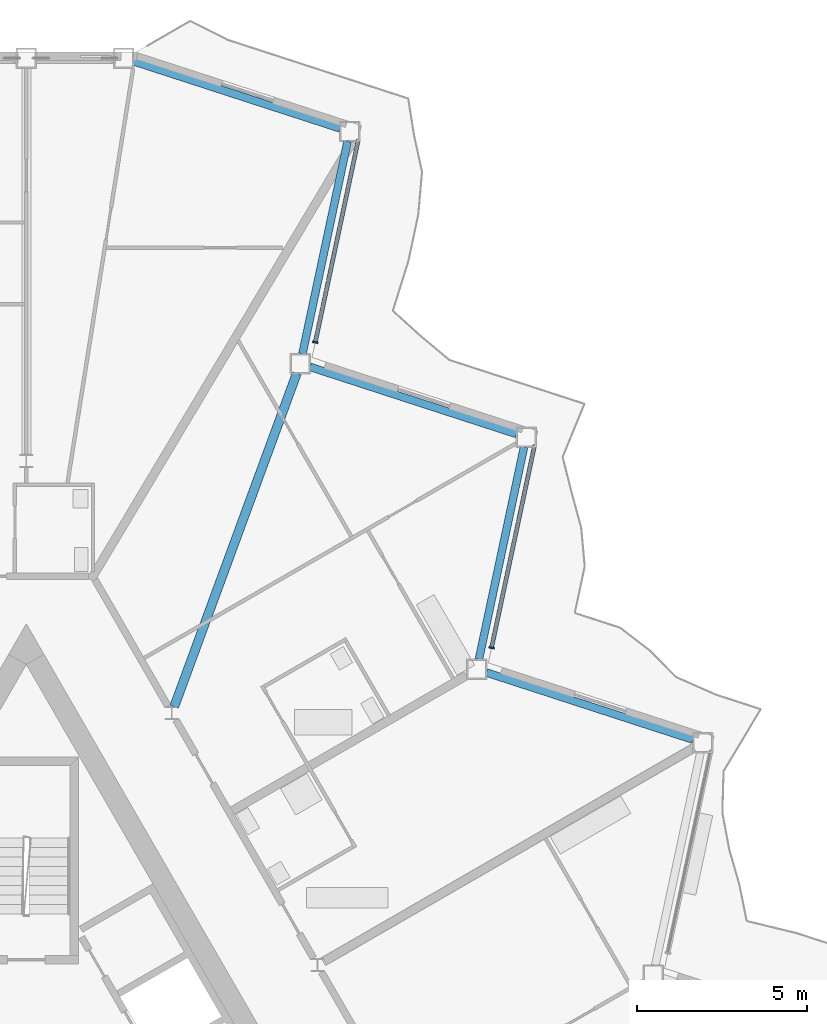
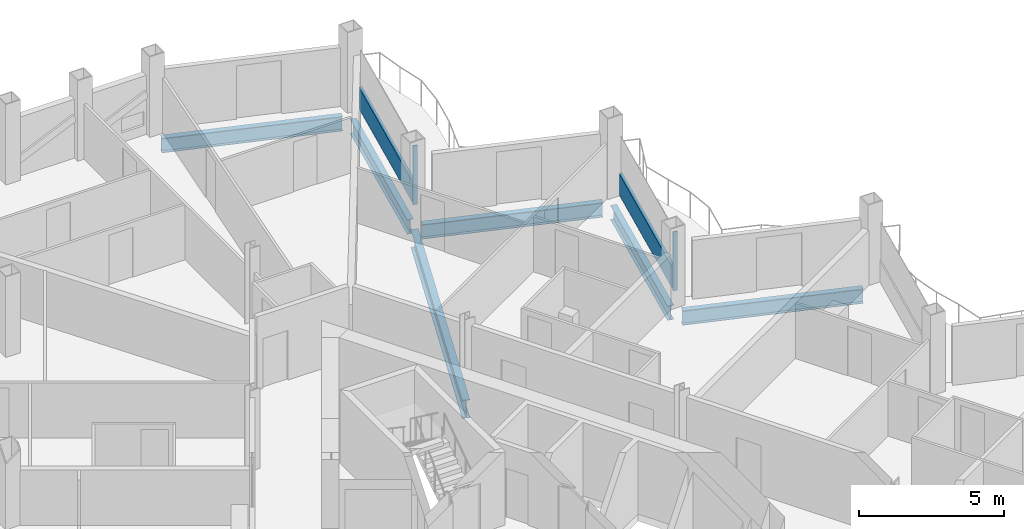
# One storey, part 11 of 26: 6 beams, 4 members, 2 elements without a shape of their own.
"""IFC4 building model written with IfcOpenShell, lengths in metres."""

from ifc_helpers import new_model, si_unit, direction, frame, origin, origin_2d, place, context, subcontext, project, spatial, rectangle, i_section, extrude, material, layer, layer_set, material_profile, profile_set, type_object, element, aggregate, save


model = new_model("IFC4")

# Units and contexts
model_context = context("Model", 3, precision=1e-05, world=origin(), true_north=direction((0.0, 1.0)))
body_context = subcontext(model_context, "Body", "Model", "MODEL_VIEW")
ifc_project = project(units=[si_unit("LENGTHUNIT", "METRE"), si_unit("AREAUNIT", "SQUARE_METRE"), si_unit("VOLUMEUNIT", "CUBIC_METRE"), si_unit("PLANEANGLEUNIT", "RADIAN"), si_unit("MASSUNIT", "GRAM", prefix="KILO")], contexts=[model_context])

# Site, building, storey
site_placement = place(None, origin())
site = spatial("IfcSite", under=ifc_project, at=site_placement, CompositionType="ELEMENT")
building_placement = place(site_placement, origin())
building = spatial("IfcBuilding", under=site, at=building_placement, Name="Cormorant Prow Tower", CompositionType="ELEMENT")
storey_placement = place(building_placement, frame((0.0, 0.0, 322.199951171875)))
storey = spatial("IfcBuildingStorey", under=building, at=storey_placement, Name="L71", CompositionType="ELEMENT", Elevation=322.199951171875)

# Beam
ifc_material_1 = material(Name="Structural steel ASTM A992 Gr 50", Category="steel")
ifc_material_profile_1 = material_profile(ifc_material_1, i_section(OverallWidth=0.267822265625, OverallDepth=0.77001953125, WebThickness=0.015625, FlangeThickness=0.025390625, at=origin_2d()), Name="W30x132")
ifc_profile_set_1 = profile_set([ifc_material_profile_1], Name="Structural steel ASTM A992 Gr 50")
beam_type_1 = type_object("IfcBeamType", Name="Radial floor beam W30x132", PredefinedType="BEAM", material=ifc_profile_set_1)
beam_1_placement = place(storey_placement, frame((4.357421875, 12.5673828125, -0.684814453125), z_axis=(0.345131226703, 0.938554439739, 0.0), x_axis=(-0.938554439739, 0.345131226703, 0.0)))
element("IfcBeam", 1, at=beam_1_placement, inside=storey, type_object=beam_type_1, Name="Radial floor beam FB3 12 L71", PredefinedType="BEAM", context=body_context, shape_type="SweptSolid", body=[
    extrude(i_section(OverallWidth=0.267822265625, OverallDepth=0.77001953125, WebThickness=0.015625, FlangeThickness=0.025390625, at=origin_2d()), origin(), (0.0, 0.0, 1.0), 10.465087890625),
])

# Curtain wall, member
ifc_material_2 = material(Name="Aluminium 6063-T6", Category="aluminium")
ifc_layer = layer(ifc_material_2, 0.159912109375)
ifc_layer_set = layer_set([ifc_layer], Name="Aluminium 6063-T6")
curtain_wall_type = type_object("IfcCurtainWallType", Name="Residential unitised curtain wall 160", PredefinedType="NOTDEFINED", material=ifc_layer_set)
curtain_wall_1_placement = place(storey_placement, origin())
curtain_wall_1 = element("IfcCurtainWall", 2, at=curtain_wall_1_placement, inside=storey, type_object=curtain_wall_type, Name="Residential curtain wall ENE06", PredefinedType="NOTDEFINED")
ifc_material_3 = material(Name="Aluminium 6063-T6", Category="aluminium")
ifc_material_profile_2 = material_profile(ifc_material_3, rectangle(XDim=0.159912109375, YDim=0.050048828125, at=origin_2d()), Name="Residential mullion 50x160")
ifc_profile_set_2 = profile_set([ifc_material_profile_2], Name="Aluminium 6063-T6")
member_type_1 = type_object("IfcMemberType", Name="Residential mullion 50x160", PredefinedType="MULLION", material=ifc_profile_set_2)
member_1_placement = place(storey_placement, frame((13.70849609375, 14.306884765625, 0.0), z_axis=(0.0, 0.0, 1.0), x_axis=(-0.978147600676, 0.207911691091, 0.0)))
member_1 = element("IfcMember", 3, at=member_1_placement, type_object=member_type_1, Name="Residential mullion ENE06", PredefinedType="MULLION", context=body_context, shape_type="SweptSolid", body=[
    extrude(rectangle(XDim=0.159912109375, YDim=0.050048828125, at=origin_2d()), origin(), (0.0, 0.0, 1.0), 2.488037109375),
])

curtain_wall_2_placement = place(storey_placement, origin())
curtain_wall_2 = element("IfcCurtainWall", 4, at=curtain_wall_2_placement, inside=storey, type_object=curtain_wall_type, Name="Residential curtain wall ENE08", PredefinedType="NOTDEFINED")
member_2_placement = place(storey_placement, frame((8.513671875, 23.30419921875, 0.0), z_axis=(0.0, 0.0, 1.0), x_axis=(-0.978147606859, 0.207911662, 0.0)))
member_2 = element("IfcMember", 5, at=member_2_placement, type_object=member_type_1, Name="Residential mullion ENE08", PredefinedType="MULLION", context=body_context, shape_type="SweptSolid", body=[
    extrude(rectangle(XDim=0.159912109375, YDim=0.050048828125, at=origin_2d()), origin(), (0.0, 0.0, 1.0), 2.488037109375),
])

# Member
ifc_material_4 = material(Name="Terracotta", Category="masonry")
ifc_material_profile_3 = material_profile(ifc_material_4, rectangle(XDim=0.1201171875, YDim=0.89990234375, at=origin_2d()), Name="Residential terracotta spandrel rail 120x900")
ifc_profile_set_3 = profile_set([ifc_material_profile_3], Name="Terracotta")
member_type_2 = type_object("IfcMemberType", Name="Residential terracotta spandrel rail 120x900", PredefinedType="USERDEFINED", material=ifc_profile_set_3)
member_3_placement = place(storey_placement, frame((13.713623046875, 14.331298828125, 0.449951171875), z_axis=(0.207908765956, 0.978148222428, 0.0), x_axis=(-0.978148222428, 0.207908765956, 0.0)))
member_3 = element("IfcMember", 6, at=member_3_placement, type_object=member_type_2, Name="Residential spandrel rail ENE06", ObjectType="TRANSOM", PredefinedType="USERDEFINED", context=body_context, shape_type="SweptSolid", body=[
    extrude(rectangle(XDim=0.1201171875, YDim=0.89990234375, at=origin_2d()), origin(), (0.0, 0.0, 1.0), 6.072021484375),
])

aggregate(curtain_wall_1, [member_1, member_3])

member_4_placement = place(storey_placement, frame((8.51904296875, 23.32861328125, 0.449951171875), z_axis=(0.207900589614, 0.978149960302, 0.0), x_axis=(-0.978149960302, 0.207900589614, 0.0)))
member_4 = element("IfcMember", 7, at=member_4_placement, type_object=member_type_2, Name="Residential spandrel rail ENE08", ObjectType="TRANSOM", PredefinedType="USERDEFINED", context=body_context, shape_type="SweptSolid", body=[
    extrude(rectangle(XDim=0.1201171875, YDim=0.89990234375, at=origin_2d()), origin(), (0.0, 0.0, 1.0), 6.072265625),
])

aggregate(curtain_wall_2, [member_2, member_4])

# Beams
ifc_material_5 = material(Name="Structural steel ASTM A992 Gr 50", Category="steel")
ifc_material_profile_4 = material_profile(ifc_material_5, i_section(OverallWidth=0.22900390625, OverallDepth=0.612060546875, WebThickness=0.011962890625, FlangeThickness=0.01953125, at=origin_2d()), Name="W24x84")
ifc_profile_set_4 = profile_set([ifc_material_profile_4], Name="Structural steel ASTM A992 Gr 50")
beam_type_2 = type_object("IfcBeamType", Name="Spandrel beam W24x84", PredefinedType="SPANDREL", material=ifc_profile_set_4)
for number, where, z_axis, x_axis, name in (
    (8, (19.640380859375, 11.5966796875, -0.60595703125), (-0.95105314132, 0.309027381286, 0.0), (-0.309027381286, -0.95105314132, 0.0), "Spandrel beam SB3 ENE05-ENE06 L71"),
    (9, (13.334228515625, 13.95947265625, -0.60595703125), (0.207920386839, 0.978145752297, 0.0), (-0.978145752297, 0.207920386839, 0.0), "Spandrel beam SB3 ENE06-ENE07 L71"),
    (10, (14.441162109375, 20.601806640625, -0.60595703125), (-0.95105314132, 0.309027381286, 0.0), (-0.309027381286, -0.95105314132, 0.0), "Spandrel beam SB3 ENE07-ENE08 L71"),
):
    element("IfcBeam", number, at=place(storey_placement, frame(where, z_axis=z_axis, x_axis=x_axis)), inside=storey, type_object=beam_type_2, Name=name, PredefinedType="SPANDREL", context=body_context, shape_type="SweptSolid", body=[
        extrude(i_section(OverallWidth=0.22900390625, OverallDepth=0.612060546875, WebThickness=0.011962890625, FlangeThickness=0.01953125, at=origin_2d()), origin(), (0.0, 0.0, 1.0), 6.39599609375),
    ])
beam_2_placement = place(storey_placement, frame((8.13525390625, 22.96435546875, -0.60595703125), z_axis=(0.20791262393, 0.978147402394, 0.0), x_axis=(-0.978147402394, 0.20791262393, 0.0)))
element("IfcBeam", 11, at=beam_2_placement, inside=storey, type_object=beam_type_2, Name="Spandrel beam SB3 ENE08-ENE09 L71", PredefinedType="SPANDREL", context=body_context, shape_type="SweptSolid", body=[
    extrude(i_section(OverallWidth=0.22900390625, OverallDepth=0.612060546875, WebThickness=0.011962890625, FlangeThickness=0.01953125, at=origin_2d()), origin(), (0.0, 0.0, 1.0), 6.396240234375),
])
beam_3_placement = place(storey_placement, frame((9.2421875, 29.60693359375, -0.60595703125), z_axis=(-0.951064359156, 0.308992855489, 0.0), x_axis=(-0.308992855489, -0.951064359156, 0.0)))
element("IfcBeam", 12, at=beam_3_placement, inside=storey, type_object=beam_type_2, Name="Spandrel beam SB3 ENE09-N00 L71", PredefinedType="SPANDREL", context=body_context, shape_type="SweptSolid", body=[
    extrude(i_section(OverallWidth=0.22900390625, OverallDepth=0.612060546875, WebThickness=0.011962890625, FlangeThickness=0.01953125, at=origin_2d()), origin(), (0.0, 0.0, 1.0), 6.39599609375),
])

save(model, "model.ifc")
